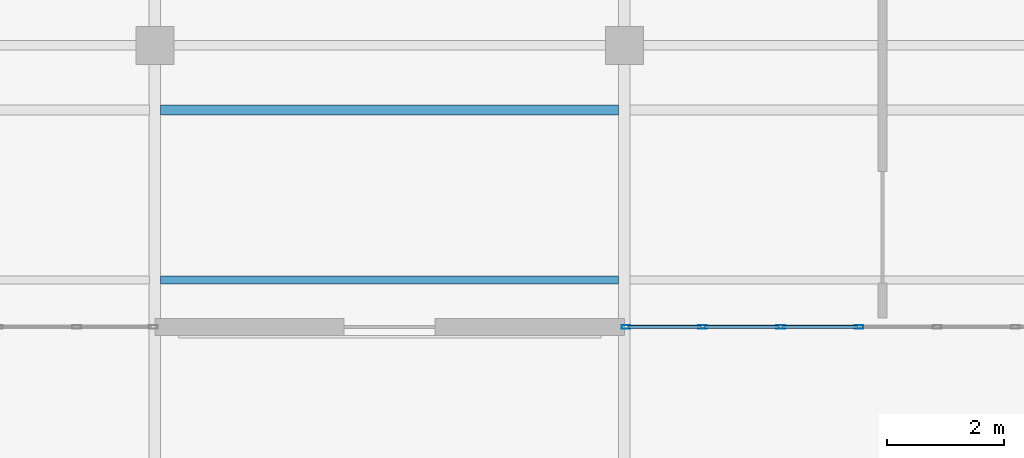
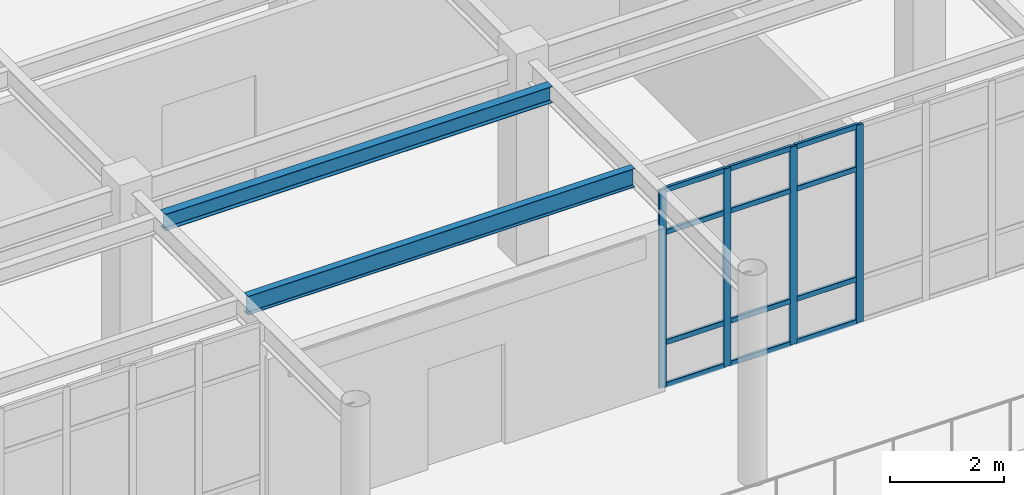
# One storey, part 34 of 75: 16 members, 2 beams, 1 element without a shape of its own.
"""IFC4 building model written with IfcOpenShell, lengths in metres."""

import ifcopenshell
import ifcopenshell.guid

model = None  # the IFC model being written
_history = None  # IfcOwnerHistory: only IFC2X3 demands one
_inside = {}  # id of a spatial element -> (the spatial element, [elements in it])
_under = {}  # id of a project, library or spatial element -> (it, [spatial elements below it])
_declared = {}  # id of a project -> (the project, [libraries it declares])
_typed = {}  # id of a type object -> (the type object, [elements of that type])
_made_of = {}  # id of a material, layer set ... -> (it, [elements and type objects made of it])


def new_model(schema):
    """Start an empty IFC model of exactly this schema.

    Asked for "IFC4X3", IfcOpenShell would pick the latest addendum, in which some entities
    have other attributes; the version numbers below select the first issue.
    IFC2X3 requires an IfcOwnerHistory on every rooted entity: one is made here for all.
    """
    global model, _history
    if schema == "IFC4X3":
        model = ifcopenshell.file(schema_version=(4, 3, 0, 0))
    else:
        model = ifcopenshell.file(schema=schema)
    _inside.clear()
    _under.clear()
    _declared.clear()
    _typed.clear()
    _made_of.clear()
    _history = None
    if model.schema == "IFC2X3":
        org = make("IfcOrganization", Name="unknown")
        user = make(
            "IfcPersonAndOrganization",
            ThePerson=make("IfcPerson", FamilyName="unknown"),
            TheOrganization=org,
        )
        app = make(
            "IfcApplication",
            ApplicationDeveloper=org,
            Version="unknown",
            ApplicationFullName="unknown",
            ApplicationIdentifier="unknown",
        )
        _history = make(
            "IfcOwnerHistory",
            OwningUser=user,
            OwningApplication=app,
            ChangeAction="ADDED",
            CreationDate=0,
        )
    return model


def make(cls, **values):
    """One entity of the class cls with the attributes given. An attribute that is None is left unset."""
    return model.create_entity(
        cls, **{name: value for name, value in values.items() if value is not None}
    )


def rooted(cls, **values):
    """An entity with a GlobalId (a new one), such as an element, a storey or a relation."""
    return make(cls, GlobalId=ifcopenshell.guid.new(), OwnerHistory=_history, **values)


def si_unit(unit_type, name, prefix=None):
    """IfcSIUnit, for example si_unit("LENGTHUNIT", "METRE", prefix="MILLI")."""
    return make("IfcSIUnit", UnitType=unit_type, Prefix=prefix, Name=name)


def assignment(units):
    """IfcUnitAssignment: the units of a project."""
    return None if units is None else make("IfcUnitAssignment", Units=units)


def point(xyz):
    """IfcCartesianPoint."""
    return None if xyz is None else make("IfcCartesianPoint", Coordinates=xyz)


def direction(xyz):
    """IfcDirection."""
    return None if xyz is None else make("IfcDirection", DirectionRatios=xyz)


def frame(location, z_axis=None, x_axis=None):
    """IfcAxis2Placement3D, a coordinate frame: its origin and axes. An axis left out is left unset."""
    return make(
        "IfcAxis2Placement3D",
        Location=point(location),
        Axis=direction(z_axis),
        RefDirection=direction(x_axis),
    )


def frame_2d(location, x_axis=None):
    """IfcAxis2Placement2D, a coordinate frame in the plane: its origin and x axis."""
    return make(
        "IfcAxis2Placement2D", Location=point(location), RefDirection=direction(x_axis)
    )


def origin():
    """The frame at (0, 0, 0) with its axes left unset."""
    return frame((0.0, 0.0, 0.0))


def origin_2d():
    """The frame at (0, 0) in the plane with its x axis left unset."""
    return frame_2d((0.0, 0.0))


def place(relative_to, where):
    """IfcLocalPlacement: puts the frame where relative to a parent placement (None: the world)."""
    return make(
        "IfcLocalPlacement", PlacementRelTo=relative_to, RelativePlacement=where
    )


def context(
    kind, dimensions, precision=None, world=None, true_north=None, identifier=None
):
    """IfcGeometricRepresentationContext, for example the 3D "Model" context."""
    return make(
        "IfcGeometricRepresentationContext",
        ContextIdentifier=identifier,
        ContextType=kind,
        CoordinateSpaceDimension=dimensions,
        Precision=precision,
        WorldCoordinateSystem=world,
        TrueNorth=true_north,
    )


def subcontext(parent, identifier, kind, view, scale=None):
    """IfcGeometricRepresentationSubContext, for example "Body" below "Model"."""
    return make(
        "IfcGeometricRepresentationSubContext",
        ContextIdentifier=identifier,
        ContextType=kind,
        ParentContext=parent,
        TargetScale=scale,
        TargetView=view,
    )


def project(units=None, contexts=None):
    """IfcProject with its units and contexts."""
    return rooted(
        "IfcProject",
        Name="project",
        RepresentationContexts=contexts,
        UnitsInContext=assignment(units),
    )


def spatial(cls, under=None, at=None, **own):
    """A site, building, storey or space (cls), placed at a placement, below another one or the project."""
    s = rooted(cls, ObjectPlacement=at, **own)
    if under is not None:
        _under.setdefault(under.id(), (under, []))[1].append(s)
    return s


def profile(cls, at=None, kind="AREA", **sizes):
    """A parametric profile (cls). Its sizes go by their IFC names, for example OverallWidth=200.0."""
    return make(cls, ProfileType=kind, Position=at, **sizes)


def hollow_rectangle(**sizes):
    """IfcRectangleHollowProfileDef."""
    return profile("IfcRectangleHollowProfileDef", **sizes)


def i_section(**sizes):
    """IfcIShapeProfileDef."""
    return profile("IfcIShapeProfileDef", **sizes)


def extrude(swept, where, along, depth):
    """IfcExtrudedAreaSolid: the profile swept, set in the frame where, extruded along a direction by depth."""
    return make(
        "IfcExtrudedAreaSolid",
        SweptArea=swept,
        Position=where,
        ExtrudedDirection=direction(along),
        Depth=depth,
    )


def shape(context_of_items, identifier, shape_type, items):
    """IfcShapeRepresentation: the items that make up one representation, for example the "Body"."""
    return make(
        "IfcShapeRepresentation",
        ContextOfItems=context_of_items,
        RepresentationIdentifier=identifier,
        RepresentationType=shape_type,
        Items=items,
    )


def material(Name=None, Category=None):
    """IfcMaterial."""
    return make("IfcMaterial", Name=Name, Category=Category)


def material_profile(
    of_material, cross_section, Name=None, Category=None, Priority=None
):
    """IfcMaterialProfile: a cross section and its material."""
    return make(
        "IfcMaterialProfile",
        Name=Name,
        Material=of_material,
        Profile=cross_section,
        Priority=Priority,
        Category=Category,
    )


def profile_set(profiles, Name=None, composite=None):
    """IfcMaterialProfileSet."""
    return make(
        "IfcMaterialProfileSet",
        Name=Name,
        MaterialProfiles=profiles,
        CompositeProfile=composite,
    )


def made_of(thing, what):
    """Note that an element or type object is made of a material, layer set ...; save() writes the relation."""
    if what is not None:
        _made_of.setdefault(what.id(), (what, []))[1].append(thing)
    return thing


def type_object(cls, material=None, **own):
    """A type object (cls), such as IfcWallType, which elements share."""
    return made_of(rooted(cls, **own), material)


def element(
    cls,
    number,
    at=None,
    inside=None,
    cuts=None,
    type_object=None,
    material=None,
    context=None,
    identifier="Body",
    shape_type=None,
    held_by="IfcProductDefinitionShape",
    body=None,
    shapes=None,
    **own,
):
    """One element of the class cls, such as IfcWall. Its Tag is "e" and its number.

    at: its placement. inside: the storey or other place that contains it. cuts: it is an
    opening in that element (IfcRelVoidsElement). A single representation is given by context,
    identifier, shape_type and body (its items); several are given by shapes. held_by: the class
    of the entity that holds the representations. save() writes the other relations.
    """
    e = rooted(cls, Tag="e%d" % number, ObjectPlacement=at, **own)
    if body is not None:
        shapes = [shape(context, identifier, shape_type, body)]
    if shapes is not None:
        e.Representation = make(held_by, Representations=shapes)
    if inside is not None:
        _inside.setdefault(inside.id(), (inside, []))[1].append(e)
    if cuts is not None:
        rooted(
            "IfcRelVoidsElement", RelatingBuildingElement=cuts, RelatedOpeningElement=e
        )
    if type_object is not None:
        _typed.setdefault(type_object.id(), (type_object, []))[1].append(e)
    return made_of(e, material)


def aggregate(whole, parts):
    """IfcRelAggregates: a whole, such as a stair, and the parts it consists of."""
    return rooted("IfcRelAggregates", RelatingObject=whole, RelatedObjects=parts)


def save(model, path):
    """Write the relations noted so far, then the file.

    IfcRelAggregates (storeys below a building ...), IfcRelContainedInSpatialStructure (elements
    in a storey), IfcRelDefinesByType, IfcRelAssociatesMaterial and IfcRelDeclares: one each for
    every whole, place, type object, material and project.
    """
    for whole, parts in _under.values():
        aggregate(whole, parts)
    for where, things in _inside.values():
        rooted(
            "IfcRelContainedInSpatialStructure",
            RelatedElements=things,
            RelatingStructure=where,
        )
    for kind, things in _typed.values():
        rooted("IfcRelDefinesByType", RelatedObjects=things, RelatingType=kind)
    for what, things in _made_of.values():
        rooted("IfcRelAssociatesMaterial", RelatedObjects=things, RelatingMaterial=what)
    for by, libraries in _declared.values():
        rooted("IfcRelDeclares", RelatingContext=by, RelatedDefinitions=libraries)
    model.write(path)


model = new_model("IFC4")

# Units and contexts
model_context = context("Model", 3, precision=1e-05, world=origin(), true_north=direction((0.0, 1.0)))
body_context = subcontext(model_context, "Body", "Model", "MODEL_VIEW")
ifc_project = project(units=[si_unit("LENGTHUNIT", "METRE"), si_unit("AREAUNIT", "SQUARE_METRE"), si_unit("VOLUMEUNIT", "CUBIC_METRE"), si_unit("PLANEANGLEUNIT", "RADIAN"), si_unit("MASSUNIT", "GRAM", prefix="KILO")], contexts=[model_context])

# Site, building, storey
site_placement = place(None, origin())
site = spatial("IfcSite", under=ifc_project, at=site_placement, CompositionType="ELEMENT")
building_placement = place(site_placement, origin())
building = spatial("IfcBuilding", under=site, at=building_placement, Name="Solmirada Galleria", CompositionType="ELEMENT")
storey_placement = place(building_placement, frame((0.0, 0.0, 19.39990234375)))
storey = spatial("IfcBuildingStorey", under=building, at=storey_placement, Name="L04", CompositionType="ELEMENT", Elevation=19.39990234375)

# Beams
ifc_material_1 = material(Name="Steel S355 / ASTM A992 Grade 50", Category="steel")
ifc_material_profile_1 = material_profile(ifc_material_1, i_section(OverallWidth=0.1708984375, OverallDepth=0.35205078125, WebThickness=0.0068359375, FlangeThickness=0.009765625, FilletRadius=0.010986328125, at=origin_2d()), Name="W14X30")
ifc_profile_set_1 = profile_set([ifc_material_profile_1], Name="Steel S355 / ASTM A992 Grade 50")
beam_type_1 = type_object("IfcBeamType", Name="BM-JST-W14B", PredefinedType="JOIST", material=ifc_profile_set_1)
beam_1_placement = place(storey_placement, frame((56.096435546875, 94.89990234375, 4.083984375), z_axis=(1.0, 0.0, 0.0), x_axis=(0.0, 1.0, 0.0)))
element("IfcBeam", 1, at=beam_1_placement, inside=storey, type_object=beam_type_1, Name="Terrace deck joist L05-TERR-NW X=56..64 (2)", PredefinedType="JOIST", context=body_context, shape_type="SweptSolid", body=[
    extrude(i_section(OverallWidth=0.1708984375, OverallDepth=0.35205078125, WebThickness=0.0068359375, FlangeThickness=0.009765625, FilletRadius=0.010986328125, at=origin_2d()), origin(), (0.0, 0.0, 1.0), 7.80712890625),
])
ifc_material_profile_2 = material_profile(ifc_material_1, i_section(OverallWidth=0.139892578125, OverallDepth=0.39892578125, WebThickness=0.00634765625, FlangeThickness=0.0087890625, FilletRadius=0.010986328125, at=origin_2d()), Name="W16X26")
ifc_profile_set_2 = profile_set([ifc_material_profile_2], Name="Steel S355 / ASTM A992 Grade 50")
beam_type_2 = type_object("IfcBeamType", Name="BM-JST-W16C", PredefinedType="JOIST", material=ifc_profile_set_2)
beam_2_placement = place(storey_placement, frame((56.096435546875, 92.0, 4.060546875), z_axis=(1.0, 0.0, 0.0), x_axis=(0.0, 1.0, 0.0)))
element("IfcBeam", 2, at=beam_2_placement, inside=storey, type_object=beam_type_2, Name="Composite floor joist L05 (56..64, 92.0)", PredefinedType="JOIST", context=body_context, shape_type="SweptSolid", body=[
    extrude(i_section(OverallWidth=0.139892578125, OverallDepth=0.39892578125, WebThickness=0.00634765625, FlangeThickness=0.0087890625, FilletRadius=0.010986328125, at=origin_2d()), origin(), (0.0, 0.0, 1.0), 7.80712890625),
])

# Curtain wall, members
ifc_material_2 = material(Name="Impact-resistant low-E double glazing", Category="glass")
curtain_wall_type = type_object("IfcCurtainWallType", Name="CW-FZ4-L04-B6-L080", PredefinedType="NOTDEFINED", material=ifc_material_2)
curtain_wall_placement = place(storey_placement, origin())
curtain_wall = element("IfcCurtainWall", 3, at=curtain_wall_placement, inside=storey, type_object=curtain_wall_type, Name="Terrace and arcade storefront CW-L04-148", PredefinedType="NOTDEFINED")
ifc_material_3 = material(Name="Anodised aluminium framing", Category="aluminium")
ifc_material_profile_3 = material_profile(ifc_material_3, hollow_rectangle(XDim=0.06005859375, YDim=0.14990234375, WallThickness=0.00341796875, InnerFilletRadius=0.00341796875, OuterFilletRadius=0.007080078125, at=origin_2d()), Name="ALU-MULL-150X60")
ifc_profile_set_3 = profile_set([ifc_material_profile_3], Name="Anodised aluminium framing")
member_type_1 = type_object("IfcMemberType", Name="CW-MULL-150", PredefinedType="MULLION", material=ifc_profile_set_3)
member_1_placement = place(storey_placement, frame((68.0, 91.199951171875, 0.0), z_axis=(0.0, 0.0, 1.0), x_axis=(0.0, -1.0, 0.0)))
member_1 = element("IfcMember", 4, at=member_1_placement, type_object=member_type_1, Name="CW31 mullion 4", PredefinedType="MULLION", context=body_context, shape_type="SweptSolid", body=[
    extrude(hollow_rectangle(XDim=0.06005859375, YDim=0.14990234375, WallThickness=0.00341796875, InnerFilletRadius=0.00341796875, OuterFilletRadius=0.007080078125, at=origin_2d()), origin(), (0.0, 0.0, 1.0), 4.22021484375),
])
member_2_placement = place(storey_placement, frame((66.666748046875, 91.199951171875, 0.0), z_axis=(0.0, 0.0, 1.0), x_axis=(0.0, -1.0, 0.0)))
member_2 = element("IfcMember", 5, at=member_2_placement, type_object=member_type_1, Name="CW31 mullion 5", PredefinedType="MULLION", context=body_context, shape_type="SweptSolid", body=[
    extrude(hollow_rectangle(XDim=0.06005859375, YDim=0.14990234375, WallThickness=0.00341796875, InnerFilletRadius=0.00341796875, OuterFilletRadius=0.007080078125, at=origin_2d()), origin(), (0.0, 0.0, 1.0), 4.22021484375),
])
member_3_placement = place(storey_placement, frame((65.333251953125, 91.199951171875, 0.0), z_axis=(0.0, 0.0, 1.0), x_axis=(0.0, -1.0, 0.0)))
member_3 = element("IfcMember", 6, at=member_3_placement, type_object=member_type_1, Name="CW31 mullion 6", PredefinedType="MULLION", context=body_context, shape_type="SweptSolid", body=[
    extrude(hollow_rectangle(XDim=0.06005859375, YDim=0.14990234375, WallThickness=0.00341796875, InnerFilletRadius=0.00341796875, OuterFilletRadius=0.007080078125, at=origin_2d()), origin(), (0.0, 0.0, 1.0), 4.22021484375),
])
member_4_placement = place(storey_placement, frame((64.030029296875, 91.199951171875, 0.0), z_axis=(0.0, 0.0, 1.0), x_axis=(0.0, -1.0, 0.0)))
member_4 = element("IfcMember", 7, at=member_4_placement, type_object=member_type_1, Name="CW31 mullion 7", PredefinedType="MULLION", context=body_context, shape_type="SweptSolid", body=[
    extrude(hollow_rectangle(XDim=0.06005859375, YDim=0.14990234375, WallThickness=0.00341796875, InnerFilletRadius=0.00341796875, OuterFilletRadius=0.007080078125, at=origin_2d()), origin(), (0.0, 0.0, 1.0), 4.22021484375),
])
ifc_material_profile_4 = material_profile(ifc_material_3, hollow_rectangle(XDim=0.06005859375, YDim=0.110107421875, WallThickness=0.003173828125, InnerFilletRadius=0.003173828125, OuterFilletRadius=0.00634765625, at=origin_2d()), Name="ALU-TRAN-110X60")
ifc_profile_set_4 = profile_set([ifc_material_profile_4], Name="Anodised aluminium framing")
member_type_2 = type_object("IfcMemberType", Name="CW-TRAN-110", PredefinedType="USERDEFINED", material=ifc_profile_set_4)
member_5_placement = place(storey_placement, frame((67.969970703125, 91.199951171875, 0.030029296875), z_axis=(-1.0, 0.0, 0.0), x_axis=(0.0, -1.0, 0.0)))
member_5 = element("IfcMember", 8, at=member_5_placement, type_object=member_type_2, Name="CW31 transom 4.1", ObjectType="TRANSOM", PredefinedType="USERDEFINED", context=body_context, shape_type="SweptSolid", body=[
    extrude(hollow_rectangle(XDim=0.06005859375, YDim=0.110107421875, WallThickness=0.003173828125, InnerFilletRadius=0.003173828125, OuterFilletRadius=0.00634765625, at=origin_2d()), origin(), (0.0, 0.0, 1.0), 1.273193359375),
])
member_6_placement = place(storey_placement, frame((67.969970703125, 91.199951171875, 0.940185546875), z_axis=(-1.0, 0.0, 0.0), x_axis=(0.0, -1.0, 0.0)))
member_6 = element("IfcMember", 9, at=member_6_placement, type_object=member_type_2, Name="CW31 transom 4.2", ObjectType="TRANSOM", PredefinedType="USERDEFINED", context=body_context, shape_type="SweptSolid", body=[
    extrude(hollow_rectangle(XDim=0.06005859375, YDim=0.110107421875, WallThickness=0.003173828125, InnerFilletRadius=0.003173828125, OuterFilletRadius=0.00634765625, at=origin_2d()), origin(), (0.0, 0.0, 1.0), 1.273193359375),
])
member_7_placement = place(storey_placement, frame((67.969970703125, 91.199951171875, 3.2900390625), z_axis=(-1.0, 0.0, 0.0), x_axis=(0.0, -1.0, 0.0)))
member_7 = element("IfcMember", 10, at=member_7_placement, type_object=member_type_2, Name="CW31 transom 4.3", ObjectType="TRANSOM", PredefinedType="USERDEFINED", context=body_context, shape_type="SweptSolid", body=[
    extrude(hollow_rectangle(XDim=0.06005859375, YDim=0.110107421875, WallThickness=0.003173828125, InnerFilletRadius=0.003173828125, OuterFilletRadius=0.00634765625, at=origin_2d()), origin(), (0.0, 0.0, 1.0), 1.273193359375),
])
member_8_placement = place(storey_placement, frame((67.969970703125, 91.199951171875, 4.190185546875), z_axis=(-1.0, 0.0, 0.0), x_axis=(0.0, -1.0, 0.0)))
member_8 = element("IfcMember", 11, at=member_8_placement, type_object=member_type_2, Name="CW31 transom 4.4", ObjectType="TRANSOM", PredefinedType="USERDEFINED", context=body_context, shape_type="SweptSolid", body=[
    extrude(hollow_rectangle(XDim=0.06005859375, YDim=0.110107421875, WallThickness=0.003173828125, InnerFilletRadius=0.003173828125, OuterFilletRadius=0.00634765625, at=origin_2d()), origin(), (0.0, 0.0, 1.0), 1.273193359375),
])
member_9_placement = place(storey_placement, frame((66.63671875, 91.199951171875, 0.030029296875), z_axis=(-1.0, 0.0, 0.0), x_axis=(0.0, -1.0, 0.0)))
member_9 = element("IfcMember", 12, at=member_9_placement, type_object=member_type_2, Name="CW31 transom 5.1", ObjectType="TRANSOM", PredefinedType="USERDEFINED", context=body_context, shape_type="SweptSolid", body=[
    extrude(hollow_rectangle(XDim=0.06005859375, YDim=0.110107421875, WallThickness=0.003173828125, InnerFilletRadius=0.003173828125, OuterFilletRadius=0.00634765625, at=origin_2d()), origin(), (0.0, 0.0, 1.0), 1.2734375),
])
member_10_placement = place(storey_placement, frame((66.63671875, 91.199951171875, 0.940185546875), z_axis=(-1.0, 0.0, 0.0), x_axis=(0.0, -1.0, 0.0)))
member_10 = element("IfcMember", 13, at=member_10_placement, type_object=member_type_2, Name="CW31 transom 5.2", ObjectType="TRANSOM", PredefinedType="USERDEFINED", context=body_context, shape_type="SweptSolid", body=[
    extrude(hollow_rectangle(XDim=0.06005859375, YDim=0.110107421875, WallThickness=0.003173828125, InnerFilletRadius=0.003173828125, OuterFilletRadius=0.00634765625, at=origin_2d()), origin(), (0.0, 0.0, 1.0), 1.2734375),
])
member_11_placement = place(storey_placement, frame((66.63671875, 91.199951171875, 3.2900390625), z_axis=(-1.0, 0.0, 0.0), x_axis=(0.0, -1.0, 0.0)))
member_11 = element("IfcMember", 14, at=member_11_placement, type_object=member_type_2, Name="CW31 transom 5.3", ObjectType="TRANSOM", PredefinedType="USERDEFINED", context=body_context, shape_type="SweptSolid", body=[
    extrude(hollow_rectangle(XDim=0.06005859375, YDim=0.110107421875, WallThickness=0.003173828125, InnerFilletRadius=0.003173828125, OuterFilletRadius=0.00634765625, at=origin_2d()), origin(), (0.0, 0.0, 1.0), 1.2734375),
])
member_12_placement = place(storey_placement, frame((66.63671875, 91.199951171875, 4.190185546875), z_axis=(-1.0, 0.0, 0.0), x_axis=(0.0, -1.0, 0.0)))
member_12 = element("IfcMember", 15, at=member_12_placement, type_object=member_type_2, Name="CW31 transom 5.4", ObjectType="TRANSOM", PredefinedType="USERDEFINED", context=body_context, shape_type="SweptSolid", body=[
    extrude(hollow_rectangle(XDim=0.06005859375, YDim=0.110107421875, WallThickness=0.003173828125, InnerFilletRadius=0.003173828125, OuterFilletRadius=0.00634765625, at=origin_2d()), origin(), (0.0, 0.0, 1.0), 1.2734375),
])
member_13_placement = place(storey_placement, frame((65.30322265625, 91.199951171875, 0.030029296875), z_axis=(-1.0, 0.0, 0.0), x_axis=(0.0, -1.0, 0.0)))
member_13 = element("IfcMember", 16, at=member_13_placement, type_object=member_type_2, Name="CW31 transom 6.1", ObjectType="TRANSOM", PredefinedType="USERDEFINED", context=body_context, shape_type="SweptSolid", body=[
    extrude(hollow_rectangle(XDim=0.06005859375, YDim=0.110107421875, WallThickness=0.003173828125, InnerFilletRadius=0.003173828125, OuterFilletRadius=0.00634765625, at=origin_2d()), origin(), (0.0, 0.0, 1.0), 1.2431640625),
])
member_14_placement = place(storey_placement, frame((65.30322265625, 91.199951171875, 0.940185546875), z_axis=(-1.0, 0.0, 0.0), x_axis=(0.0, -1.0, 0.0)))
member_14 = element("IfcMember", 17, at=member_14_placement, type_object=member_type_2, Name="CW31 transom 6.2", ObjectType="TRANSOM", PredefinedType="USERDEFINED", context=body_context, shape_type="SweptSolid", body=[
    extrude(hollow_rectangle(XDim=0.06005859375, YDim=0.110107421875, WallThickness=0.003173828125, InnerFilletRadius=0.003173828125, OuterFilletRadius=0.00634765625, at=origin_2d()), origin(), (0.0, 0.0, 1.0), 1.2431640625),
])
member_15_placement = place(storey_placement, frame((65.30322265625, 91.199951171875, 3.2900390625), z_axis=(-1.0, 0.0, 0.0), x_axis=(0.0, -1.0, 0.0)))
member_15 = element("IfcMember", 18, at=member_15_placement, type_object=member_type_2, Name="CW31 transom 6.3", ObjectType="TRANSOM", PredefinedType="USERDEFINED", context=body_context, shape_type="SweptSolid", body=[
    extrude(hollow_rectangle(XDim=0.06005859375, YDim=0.110107421875, WallThickness=0.003173828125, InnerFilletRadius=0.003173828125, OuterFilletRadius=0.00634765625, at=origin_2d()), origin(), (0.0, 0.0, 1.0), 1.2431640625),
])
member_16_placement = place(storey_placement, frame((65.30322265625, 91.199951171875, 4.190185546875), z_axis=(-1.0, 0.0, 0.0), x_axis=(0.0, -1.0, 0.0)))
member_16 = element("IfcMember", 19, at=member_16_placement, type_object=member_type_2, Name="CW31 transom 6.4", ObjectType="TRANSOM", PredefinedType="USERDEFINED", context=body_context, shape_type="SweptSolid", body=[
    extrude(hollow_rectangle(XDim=0.06005859375, YDim=0.110107421875, WallThickness=0.003173828125, InnerFilletRadius=0.003173828125, OuterFilletRadius=0.00634765625, at=origin_2d()), origin(), (0.0, 0.0, 1.0), 1.2431640625),
])
aggregate(curtain_wall, [member_1, member_2, member_3, member_4, member_5, member_6, member_7, member_8, member_9, member_10, member_11, member_12, member_13, member_14, member_15, member_16])

save(model, "model.ifc")
